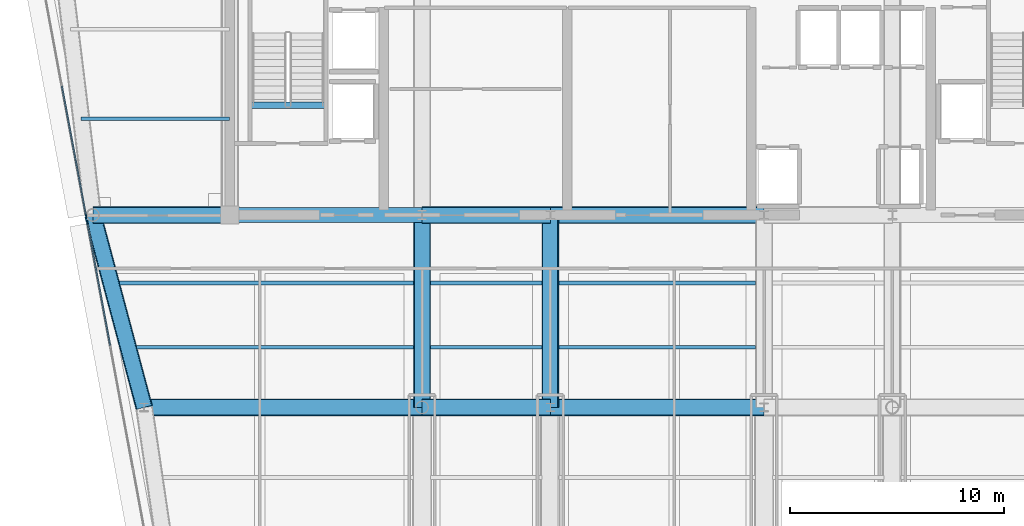
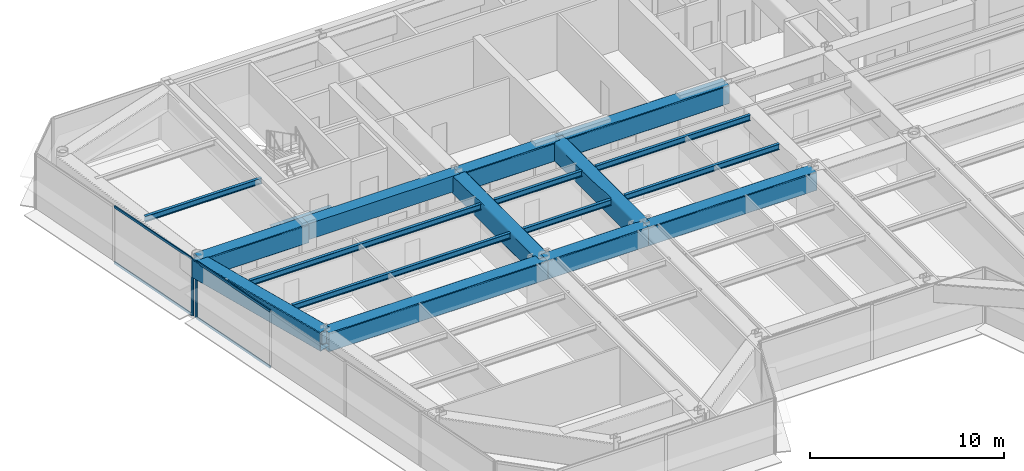
# One storey, part 4 of 18: 18 beams, 6 members, 2 elements without a shape of their own.
"""IFC4 building model written with IfcOpenShell, lengths in metres."""

from ifc_helpers import new_model, si_unit, direction, frame, origin, origin_2d, place, context, subcontext, project, spatial, rectangle, hollow_rectangle, i_section, extrude, source, transform, mapped, material, layer, layer_set, material_profile, profile_set, type_object, element, aggregate, save


model = new_model("IFC4")

# Units and contexts
model_context = context("Model", 3, precision=1e-05, world=origin(), true_north=direction((0.0, 1.0)))
body_context = subcontext(model_context, "Body", "Model", "MODEL_VIEW")
ifc_project = project(units=[si_unit("LENGTHUNIT", "METRE"), si_unit("AREAUNIT", "SQUARE_METRE"), si_unit("VOLUMEUNIT", "CUBIC_METRE"), si_unit("PLANEANGLEUNIT", "RADIAN"), si_unit("MASSUNIT", "GRAM", prefix="KILO")], contexts=[model_context])

# Site, building, storey
site_placement = place(None, origin())
site = spatial("IfcSite", under=ifc_project, at=site_placement, CompositionType="ELEMENT")
building_placement = place(site_placement, origin())
building = spatial("IfcBuilding", under=site, at=building_placement, Name="Vaeldorn Concourse Tower", CompositionType="ELEMENT")
storey_placement = place(building_placement, frame((0.0, 0.0, 265.0)))
storey = spatial("IfcBuildingStorey", under=building, at=storey_placement, Name="L68", CompositionType="ELEMENT", Elevation=265.0)

# Beams
ifc_material_1 = material(Name="Concrete C50/60", Category="concrete")
ifc_material_profile_1 = material_profile(ifc_material_1, rectangle(XDim=0.699951171875, YDim=1.0, at=origin_2d()), Name="RC 700x1000")
ifc_profile_set_1 = profile_set([ifc_material_profile_1], Name="Concrete C50/60")
beam_type_1 = type_object("IfcBeamType", Name="BM-CB-RC700", PredefinedType="BEAM", material=ifc_profile_set_1)
shared_shape_1 = source(origin(), body_context, "Body", "SweptSolid", [
    extrude(rectangle(XDim=0.699951171875, YDim=1.0, at=origin_2d()), origin(), (0.0, 0.0, 1.0), 9.0),
])
beam_1_placement = place(storey_placement, frame((14.0, 36.5, 3.080078125), z_axis=(1.0, 0.0, 0.0), x_axis=(0.0, 1.0, 0.0)))
element("IfcBeam", 1, at=beam_1_placement, inside=storey, type_object=beam_type_1, Name="Core Coupling Beam L68-1", PredefinedType="BEAM", context=body_context, shape_type="MappedRepresentation", body=[
    mapped(shared_shape_1, transform((0.0, 0.0, 0.0), scale=1.0)),
])
ifc_material_2 = material(Name="Steel S355", Category="steel")
ifc_material_profile_2 = material_profile(ifc_material_2, i_section(OverallWidth=0.300048828125, OverallDepth=0.340087890625, WebThickness=0.011962890625, FlangeThickness=0.021484375, FilletRadius=0.027099609375, at=origin_2d()), Name="HEB 340")
ifc_profile_set_2 = profile_set([ifc_material_profile_2], Name="Steel S355")
beam_type_2 = type_object("IfcBeamType", Name="BM-ST-TRIM", PredefinedType="BEAM", material=ifc_profile_set_2)
shared_shape_2 = source(origin(), body_context, "Body", "SweptSolid", [
    extrude(i_section(OverallWidth=0.300048828125, OverallDepth=0.340087890625, WebThickness=0.011962890625, FlangeThickness=0.021484375, FilletRadius=0.027099609375, at=origin_2d()), origin(), (0.0, 0.0, 1.0), 3.590087890625),
])
beam_2_placement = place(storey_placement, frame((14.929931640625, 41.639892578125, -0.389892578125), z_axis=(1.0, 0.0, 0.0), x_axis=(0.0, 1.0, 0.0)))
element("IfcBeam", 2, at=beam_2_placement, inside=storey, type_object=beam_type_2, Name="Stair Landing Trimmer Beam ST-1 L68", PredefinedType="BEAM", context=body_context, shape_type="MappedRepresentation", body=[
    mapped(shared_shape_2, transform((0.0, 0.0, 0.0), scale=1.0)),
])
ifc_material_3 = material(Name="Steel S460", Category="steel")
ifc_material_profile_3 = material_profile(ifc_material_3, hollow_rectangle(XDim=0.800048828125, YDim=1.199951171875, WallThickness=0.044921875, InnerFilletRadius=0.044921875, OuterFilletRadius=0.090087890625, at=origin_2d()), Name="RHS 1200x800x45")
ifc_profile_set_3 = profile_set([ifc_material_profile_3], Name="Steel S460")
beam_type_3 = type_object("IfcBeamType", Name="BM-TG-RHS1200", PredefinedType="BEAM", material=ifc_profile_set_3)
shared_shape_3 = source(origin(), body_context, "Body", "SweptSolid", [
    extrude(hollow_rectangle(XDim=0.800048828125, YDim=1.199951171875, WallThickness=0.044921875, InnerFilletRadius=0.044921875, OuterFilletRadius=0.090087890625, at=origin_2d()), origin(), (0.0, 0.0, 1.0), 6.0),
])
for number, where, z_axis, x_axis, name in (
    (3, (23.0, 36.5, 2.97998046875), (1.0, 0.0, 0.0), (0.0, 1.0, 0.0), "Beam BM-L68-C-FC2-C-FC3"),
    (4, (23.0, 27.5, 2.97998046875), (1.0, 0.0, 0.0), (0.0, 1.0, 0.0), "Beam BM-L68-C-TW1-C-TW2"),
):
    element("IfcBeam", number, at=place(storey_placement, frame(where, z_axis=z_axis, x_axis=x_axis)), inside=storey, type_object=beam_type_3, Name=name, PredefinedType="BEAM", context=body_context, shape_type="MappedRepresentation", body=[
        mapped(shared_shape_3, transform((0.0, 0.0, 0.0), scale=1.0)),
    ])
shared_shape_4 = source(origin(), body_context, "Body", "SweptSolid", [
    extrude(hollow_rectangle(XDim=0.800048828125, YDim=1.199951171875, WallThickness=0.044921875, InnerFilletRadius=0.044921875, OuterFilletRadius=0.090087890625, at=origin_2d()), origin(), (0.0, 0.0, 1.0), 10.0),
])
for number, where, z_axis, x_axis, name in (
    (5, (29.0, 36.5, 2.97998046875), (1.0, 0.0, 0.0), (0.0, 1.0, 0.0), "Beam BM-L68-C-FC3-C-FC4"),
    (6, (29.0, 27.5, 2.97998046875), (1.0, 0.0, 0.0), (0.0, 1.0, 0.0), "Beam BM-L68-C-TW2-C-TW3"),
):
    element("IfcBeam", number, at=place(storey_placement, frame(where, z_axis=z_axis, x_axis=x_axis)), inside=storey, type_object=beam_type_3, Name=name, PredefinedType="BEAM", context=body_context, shape_type="MappedRepresentation", body=[
        mapped(shared_shape_4, transform((0.0, 0.0, 0.0), scale=1.0)),
    ])
shared_shape_5 = source(origin(), body_context, "Body", "SweptSolid", [
    extrude(hollow_rectangle(XDim=0.800048828125, YDim=1.199951171875, WallThickness=0.044921875, InnerFilletRadius=0.044921875, OuterFilletRadius=0.090087890625, at=origin_2d()), origin(), (0.0, 0.0, 1.0), 9.0),
])
for number, where, z_axis, x_axis, name in (
    (7, (23.0, 27.5, 2.97998046875), (0.0, 1.0, 0.0), (-1.0, 0.0, 0.0), "Beam BM-L68-C-TW1-C-FC2"),
    (8, (29.0, 27.5, 2.97998046875), (0.0, 1.0, 0.0), (-1.0, 0.0, 0.0), "Beam BM-L68-C-TW2-C-FC3"),
):
    element("IfcBeam", number, at=place(storey_placement, frame(where, z_axis=z_axis, x_axis=x_axis)), inside=storey, type_object=beam_type_3, Name=name, PredefinedType="BEAM", context=body_context, shape_type="MappedRepresentation", body=[
        mapped(shared_shape_5, transform((0.0, 0.0, 0.0), scale=1.0)),
    ])
shared_shape_6 = source(origin(), body_context, "Body", "SweptSolid", [
    extrude(hollow_rectangle(XDim=0.800048828125, YDim=1.199951171875, WallThickness=0.044921875, InnerFilletRadius=0.044921875, OuterFilletRadius=0.090087890625, at=origin_2d()), origin(), (0.0, 0.0, 1.0), 13.0),
])
beam_3_placement = place(storey_placement, frame((10.0, 27.5, 2.97998046875), z_axis=(1.0, 0.0, 0.0), x_axis=(0.0, 1.0, 0.0)))
element("IfcBeam", 9, at=beam_3_placement, inside=storey, type_object=beam_type_3, Name="Beam BM-L68-C-FLW1-C-TW1", PredefinedType="BEAM", context=body_context, shape_type="MappedRepresentation", body=[
    mapped(shared_shape_6, transform((0.0, 0.0, 0.0), scale=1.0)),
])
shared_shape_7 = source(origin(), body_context, "Body", "SweptSolid", [
    extrude(hollow_rectangle(XDim=0.800048828125, YDim=1.199951171875, WallThickness=0.044921875, InnerFilletRadius=0.044921875, OuterFilletRadius=0.090087890625, at=origin_2d()), origin(), (0.0, 0.0, 1.0), 6.39990234375),
])
beam_4_placement = place(storey_placement, frame((7.60009765625, 36.5, 2.97998046875), z_axis=(1.0, 0.0, 0.0), x_axis=(0.0, 1.0, 0.0)))
element("IfcBeam", 10, at=beam_4_placement, inside=storey, type_object=beam_type_3, Name="Beam BM-L68-C-NW2-C-FC1", PredefinedType="BEAM", context=body_context, shape_type="MappedRepresentation", body=[
    mapped(shared_shape_7, transform((0.0, 0.0, 0.0), scale=1.0)),
])
shared_shape_8 = source(origin(), body_context, "Body", "SweptSolid", [
    extrude(hollow_rectangle(XDim=0.800048828125, YDim=1.199951171875, WallThickness=0.044921875, InnerFilletRadius=0.044921875, OuterFilletRadius=0.090087890625, at=origin_2d()), origin(), (0.0, 0.0, 1.0), 9.314453125),
])
beam_5_placement = place(storey_placement, frame((7.60009765625, 36.5, 2.97998046875), z_axis=(0.257652862255, -0.966237549763, 0.0), x_axis=(0.966237549763, 0.257652862255, 0.0)))
element("IfcBeam", 11, at=beam_5_placement, inside=storey, type_object=beam_type_3, Name="Beam BM-L68-C-NW2-C-FLW1", PredefinedType="BEAM", context=body_context, shape_type="MappedRepresentation", body=[
    mapped(shared_shape_8, transform((0.0, 0.0, 0.0), scale=1.0)),
])
ifc_material_profile_4 = material_profile(ifc_material_2, i_section(OverallWidth=0.169921875, OverallDepth=0.360107421875, WebThickness=0.008056640625, FlangeThickness=0.0126953125, FilletRadius=0.01806640625, at=origin_2d()), Name="IPE 360")
ifc_profile_set_4 = profile_set([ifc_material_profile_4], Name="Steel S355")
beam_type_4 = type_object("IfcBeamType", Name="BM-JS-IPE360", PredefinedType="JOIST", material=ifc_profile_set_4)
shared_shape_9 = source(origin(), body_context, "Body", "SweptSolid", [
    extrude(i_section(OverallWidth=0.169921875, OverallDepth=0.360107421875, WebThickness=0.008056640625, FlangeThickness=0.0126953125, FilletRadius=0.01806640625, at=origin_2d()), origin(), (0.0, 0.0, 1.0), 5.2001953125),
])
for number, where, z_axis, x_axis, name in (
    (12, (23.39990234375, 30.320068359375, 3.39990234375), (1.0, 0.0, 0.0), (0.0, 1.0, 0.0), "Beam JS-L68-W2-303"),
    (13, (23.39990234375, 33.320068359375, 3.39990234375), (1.0, 0.0, 0.0), (0.0, 1.0, 0.0), "Beam JS-L68-W2-333"),
):
    element("IfcBeam", number, at=place(storey_placement, frame(where, z_axis=z_axis, x_axis=x_axis)), inside=storey, type_object=beam_type_4, Name=name, PredefinedType="JOIST", context=body_context, shape_type="MappedRepresentation", body=[
        mapped(shared_shape_9, transform((0.0, 0.0, 0.0), scale=1.0)),
    ])
shared_shape_10 = source(origin(), body_context, "Body", "SweptSolid", [
    extrude(i_section(OverallWidth=0.169921875, OverallDepth=0.360107421875, WebThickness=0.008056640625, FlangeThickness=0.0126953125, FilletRadius=0.01806640625, at=origin_2d()), origin(), (0.0, 0.0, 1.0), 9.2001953125),
])
for number, where, z_axis, x_axis, name in (
    (14, (29.39990234375, 30.320068359375, 3.39990234375), (1.0, 0.0, 0.0), (0.0, 1.0, 0.0), "Beam JS-L68-C-303"),
    (15, (29.39990234375, 33.320068359375, 3.39990234375), (1.0, 0.0, 0.0), (0.0, 1.0, 0.0), "Beam JS-L68-C-333"),
):
    element("IfcBeam", number, at=place(storey_placement, frame(where, z_axis=z_axis, x_axis=x_axis)), inside=storey, type_object=beam_type_4, Name=name, PredefinedType="JOIST", context=body_context, shape_type="MappedRepresentation", body=[
        mapped(shared_shape_10, transform((0.0, 0.0, 0.0), scale=1.0)),
    ])
shared_shape_11 = source(origin(), body_context, "Body", "SweptSolid", [
    extrude(i_section(OverallWidth=0.169921875, OverallDepth=0.360107421875, WebThickness=0.008056640625, FlangeThickness=0.0126953125, FilletRadius=0.01806640625, at=origin_2d()), origin(), (0.0, 0.0, 1.0), 12.9521484375),
])
beam_6_placement = place(storey_placement, frame((9.64794921875, 30.320068359375, 3.39990234375), z_axis=(1.0, 0.0, 0.0), x_axis=(0.0, 1.0, 0.0)))
element("IfcBeam", 16, at=beam_6_placement, inside=storey, type_object=beam_type_4, Name="Beam JS-L68-W1-303", PredefinedType="JOIST", context=body_context, shape_type="MappedRepresentation", body=[
    mapped(shared_shape_11, transform((0.0, 0.0, 0.0), scale=1.0)),
])
shared_shape_12 = source(origin(), body_context, "Body", "SweptSolid", [
    extrude(i_section(OverallWidth=0.169921875, OverallDepth=0.360107421875, WebThickness=0.008056640625, FlangeThickness=0.0126953125, FilletRadius=0.01806640625, at=origin_2d()), origin(), (0.0, 0.0, 1.0), 13.752197265625),
])
beam_7_placement = place(storey_placement, frame((8.847900390625, 33.320068359375, 3.39990234375), z_axis=(1.0, 0.0, 0.0), x_axis=(0.0, 1.0, 0.0)))
element("IfcBeam", 17, at=beam_7_placement, inside=storey, type_object=beam_type_4, Name="Beam JS-L68-W1-333", PredefinedType="JOIST", context=body_context, shape_type="MappedRepresentation", body=[
    mapped(shared_shape_12, transform((0.0, 0.0, 0.0), scale=1.0)),
])
shared_shape_13 = source(origin(), body_context, "Body", "SweptSolid", [
    extrude(i_section(OverallWidth=0.169921875, OverallDepth=0.360107421875, WebThickness=0.008056640625, FlangeThickness=0.0126953125, FilletRadius=0.01806640625, at=origin_2d()), origin(), (0.0, 0.0, 1.0), 6.94775390625),
])
beam_8_placement = place(storey_placement, frame((7.05224609375, 41.0, 3.39990234375), z_axis=(1.0, 0.0, 0.0), x_axis=(0.0, 1.0, 0.0)))
element("IfcBeam", 18, at=beam_8_placement, inside=storey, type_object=beam_type_4, Name="Beam JS-L68-NW-410", PredefinedType="JOIST", context=body_context, shape_type="MappedRepresentation", body=[
    mapped(shared_shape_13, transform((0.0, 0.0, 0.0), scale=1.0)),
])

# Curtain wall, member
ifc_material_4 = material(Name="Anodised Bronze Aluminium", Category="aluminium")
ifc_layer = layer(ifc_material_4, 0.179931640625)
ifc_layer_set = layer_set([ifc_layer], Name="Anodised Bronze Aluminium")
curtain_wall_type = type_object("IfcCurtainWallType", Name="CW-SYS-05", PredefinedType="NOTDEFINED", material=ifc_layer_set)
curtain_wall_1_placement = place(storey_placement, origin())
curtain_wall_1 = element("IfcCurtainWall", 19, at=curtain_wall_1_placement, inside=storey, type_object=curtain_wall_type, Name="Unitised Curtain Wall CW-L68-E11-1", PredefinedType="NOTDEFINED")
ifc_material_profile_5 = material_profile(ifc_material_4, rectangle(XDim=0.06494140625, YDim=0.169921875, at=origin_2d()), Name="CWM 65x170")
ifc_profile_set_5 = profile_set([ifc_material_profile_5], Name="Anodised Bronze Aluminium")
member_type_1 = type_object("IfcMemberType", Name="CWM-BRONZE-170", PredefinedType="MULLION", material=ifc_profile_set_5)
shared_shape_14 = source(origin(), body_context, "Body", "SweptSolid", [
    extrude(rectangle(XDim=0.06494140625, YDim=0.169921875, at=origin_2d()), origin(), (0.0, 0.0, 1.0), 3.580078125),
])
member_1_placement = place(storey_placement, frame((7.279052734375, 36.460205078125, 0.0), z_axis=(0.0, 0.0, 1.0), x_axis=(0.983102768025, 0.183054493257, 0.0)))
member_1 = element("IfcMember", 20, at=member_1_placement, type_object=member_type_1, Name="CW-05 mullion 3", PredefinedType="MULLION", context=body_context, shape_type="MappedRepresentation", body=[
    mapped(shared_shape_14, transform((0.0, 0.0, 0.0), scale=1.0)),
])

# Curtain wall, members
curtain_wall_2_placement = place(storey_placement, origin())
curtain_wall_2 = element("IfcCurtainWall", 21, at=curtain_wall_2_placement, inside=storey, type_object=curtain_wall_type, Name="Unitised Curtain Wall CW-L68-E11-2", PredefinedType="NOTDEFINED")
member_2_placement = place(storey_placement, frame((7.336181640625, 36.153076171875, 0.0), z_axis=(0.0, 0.0, 1.0), x_axis=(0.983102653673, 0.18305510739, 0.0)))
member_2 = element("IfcMember", 22, at=member_2_placement, type_object=member_type_1, Name="CW-05 mullion 1", PredefinedType="MULLION", context=body_context, shape_type="MappedRepresentation", body=[
    mapped(shared_shape_14, transform((0.0, 0.0, 0.0), scale=1.0)),
])
ifc_material_profile_6 = material_profile(ifc_material_4, rectangle(XDim=0.06494140625, YDim=0.14990234375, at=origin_2d()), Name="CWT 65x150")
ifc_profile_set_6 = profile_set([ifc_material_profile_6], Name="Anodised Bronze Aluminium")
member_type_2 = type_object("IfcMemberType", Name="CWT-BRONZE-150", PredefinedType="USERDEFINED", material=ifc_profile_set_6)
shared_shape_15 = source(origin(), body_context, "Body", "SweptSolid", [
    extrude(rectangle(XDim=0.06494140625, YDim=0.14990234375, at=origin_2d()), origin(), (0.0, 0.0, 1.0), 5.82373046875),
])
member_3_placement = place(storey_placement, frame((7.34228515625, 36.12109375, 0.032470703125), z_axis=(0.183030414843, -0.983107251139, 0.0), x_axis=(0.983107251139, 0.183030414843, 0.0)))
member_3 = element("IfcMember", 23, at=member_3_placement, type_object=member_type_2, Name="CW-05 transom 1.1", ObjectType="TRANSOM", PredefinedType="USERDEFINED", context=body_context, shape_type="MappedRepresentation", body=[
    mapped(shared_shape_15, transform((0.0, 0.0, 0.0), scale=1.0)),
])
member_4_placement = place(storey_placement, frame((7.34228515625, 36.12109375, 3.547607421875), z_axis=(0.183030414843, -0.983107251139, 0.0), x_axis=(0.983107251139, 0.183030414843, 0.0)))
member_4 = element("IfcMember", 24, at=member_4_placement, type_object=member_type_2, Name="CW-05 transom 1.2", ObjectType="TRANSOM", PredefinedType="USERDEFINED", context=body_context, shape_type="MappedRepresentation", body=[
    mapped(shared_shape_15, transform((0.0, 0.0, 0.0), scale=1.0)),
])
aggregate(curtain_wall_2, [member_2, member_3, member_4])

# Member
shared_shape_16 = source(origin(), body_context, "Body", "SweptSolid", [
    extrude(rectangle(XDim=0.06494140625, YDim=0.14990234375, at=origin_2d()), origin(), (0.0, 0.0, 1.0), 6.143798828125),
])
member_5_placement = place(storey_placement, frame((6.1484375, 42.5322265625, 0.032470703125), z_axis=(0.183069583935, -0.983099958009, 0.0), x_axis=(0.983099958009, 0.183069583935, 0.0)))
member_5 = element("IfcMember", 25, at=member_5_placement, type_object=member_type_2, Name="CW-05 transom 2.1", ObjectType="TRANSOM", PredefinedType="USERDEFINED", context=body_context, shape_type="MappedRepresentation", body=[
    mapped(shared_shape_16, transform((0.0, 0.0, 0.0), scale=1.0)),
])

member_6_placement = place(storey_placement, frame((6.1484375, 42.5322265625, 3.547607421875), z_axis=(0.183069583935, -0.983099958009, 0.0), x_axis=(0.983099958009, 0.183069583935, 0.0)))
member_6 = element("IfcMember", 26, at=member_6_placement, type_object=member_type_2, Name="CW-05 transom 2.2", ObjectType="TRANSOM", PredefinedType="USERDEFINED", context=body_context, shape_type="MappedRepresentation", body=[
    mapped(shared_shape_16, transform((0.0, 0.0, 0.0), scale=1.0)),
])

aggregate(curtain_wall_1, [member_1, member_5, member_6])

save(model, "model.ifc")
